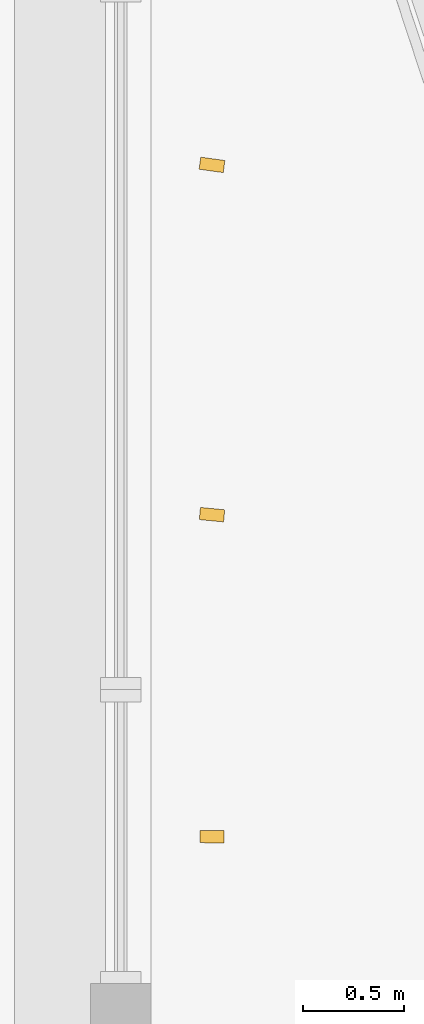
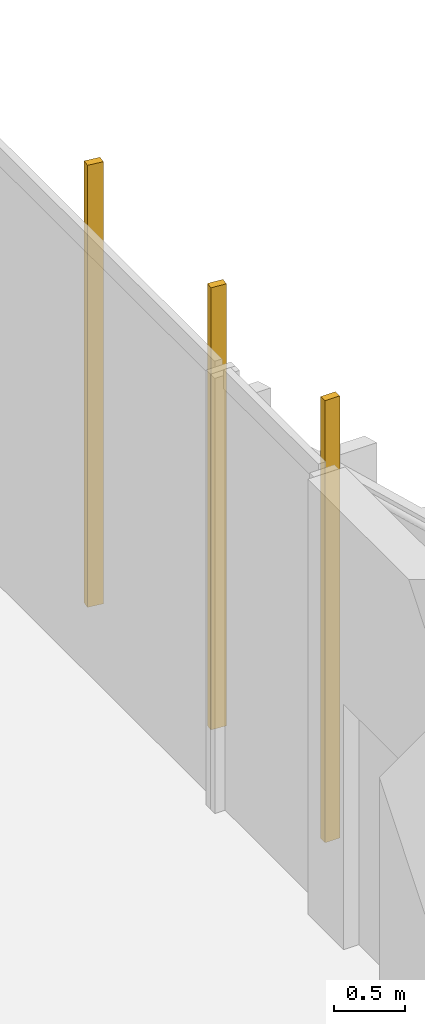
# One storey, part 25 of 27: 3 shading devices.
"""IFC4 building model written with IfcOpenShell, lengths in metres."""

from ifc_helpers import new_model, si_unit, direction, frame, origin, origin_2d, place, context, subcontext, project, spatial, rectangle, extrude, source, transform, mapped, material, material_profile, profile_set, type_object, element, save


model = new_model("IFC4")

# Units and contexts
model_context = context("Model", 3, precision=1e-05, world=origin(), true_north=direction((0.0, 1.0)))
body_context = subcontext(model_context, "Body", "Model", "MODEL_VIEW")
ifc_project = project(units=[si_unit("LENGTHUNIT", "METRE"), si_unit("AREAUNIT", "SQUARE_METRE"), si_unit("VOLUMEUNIT", "CUBIC_METRE"), si_unit("PLANEANGLEUNIT", "RADIAN"), si_unit("MASSUNIT", "GRAM", prefix="KILO")], contexts=[model_context])

# Site, building, storey
site_placement = place(None, origin())
site = spatial("IfcSite", under=ifc_project, at=site_placement, CompositionType="ELEMENT")
building_placement = place(site_placement, origin())
building = spatial("IfcBuilding", under=site, at=building_placement, Name="Kilnfold Tower and Market Hall", CompositionType="ELEMENT")
storey_placement = place(building_placement, frame((0.0, 0.0, 116.60009765625)))
storey = spatial("IfcBuildingStorey", under=building, at=storey_placement, Name="L27", CompositionType="ELEMENT", Elevation=116.60009765625)

# Shading devices
ifc_material = material(Name="Terracotta", Category="masonry")
ifc_material_profile = material_profile(ifc_material, rectangle(XDim=0.06005859375, YDim=0.1201171875, at=origin_2d()), Name="BAG 60x120")
ifc_profile_set = profile_set([ifc_material_profile], Name="Terracotta")
shading_device_type = type_object("IfcShadingDeviceType", Name="BAGUETTE", PredefinedType="USERDEFINED", material=ifc_profile_set)
shared_shape = source(origin(), body_context, "Body", "SweptSolid", [
    extrude(rectangle(XDim=0.06005859375, YDim=0.1201171875, at=origin_2d()), origin(), (0.0, 0.0, 1.0), 3.77978515625),
])
for number, where, z_axis, x_axis, name in (
    (1, (33.300048828125, 3.39990234375, 0.0), (0.0, 0.0, 1.0), (0.005497759448, 0.999984887206, 0.0), "Terracotta baguette L27 E"),
    (2, (33.300048828125, 4.987548828125, 0.0), (0.0, 0.0, 1.0), (0.095218570366, 0.995456389732, 0.0), "Terracotta baguette L27 E"),
    (3, (33.300048828125, 6.71240234375, 0.0), (0.0, 0.0, 1.0), (0.139034832098, 0.990287491319, 0.0), "Terracotta baguette L27 E"),
):
    element("IfcShadingDevice", number, at=place(storey_placement, frame(where, z_axis=z_axis, x_axis=x_axis)), inside=storey, type_object=shading_device_type, Name=name, ObjectType="BAGUETTE", PredefinedType="USERDEFINED", context=body_context, shape_type="MappedRepresentation", body=[
        mapped(shared_shape, transform((0.0, 0.0, 0.0))),
    ])

save(model, "model.ifc")
